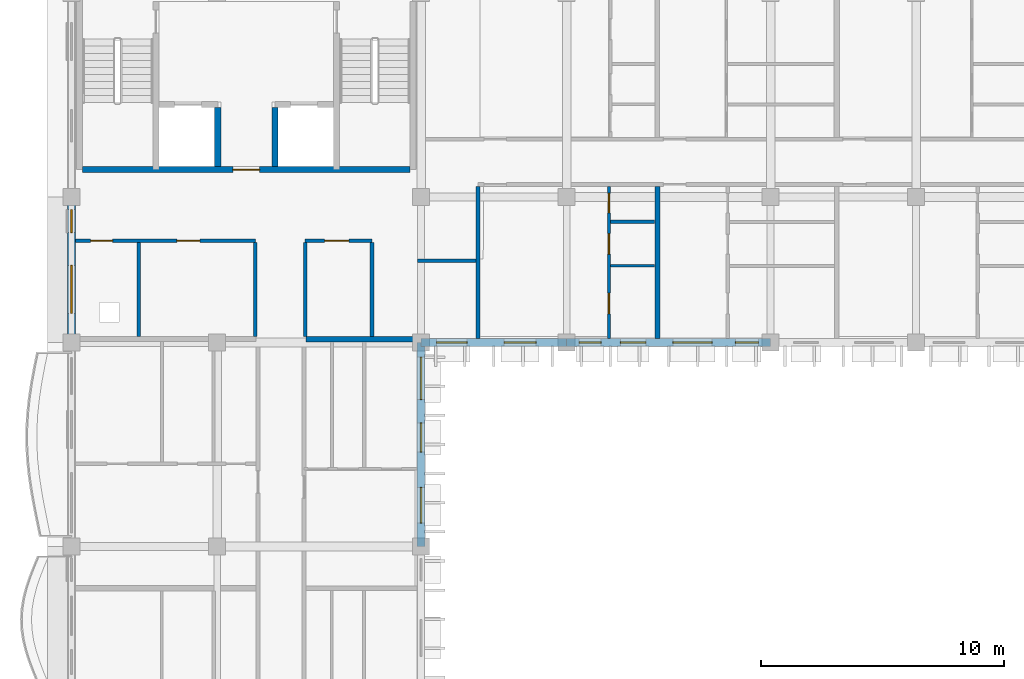
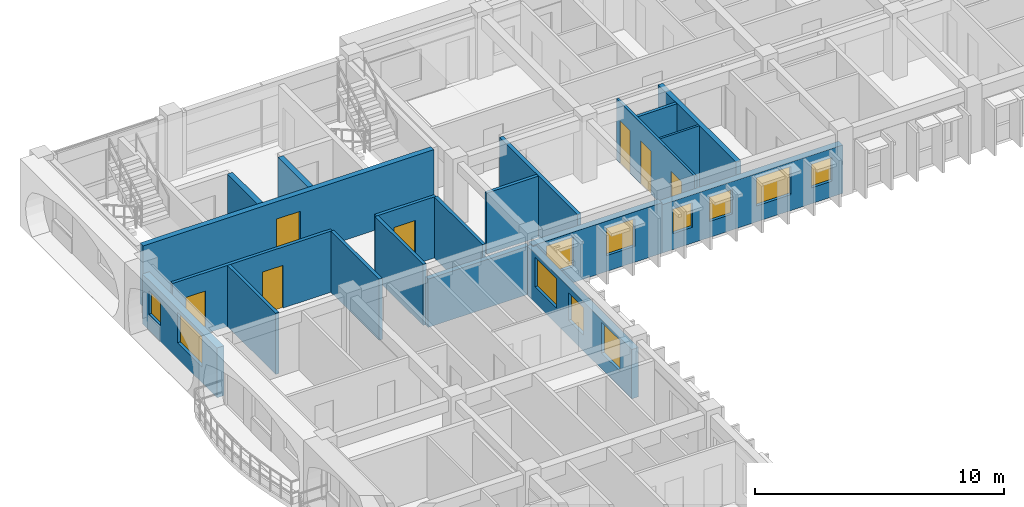
# One storey, part 21 of 66: 20 walls, 11 windows, 7 doors, 18 openings.
"""IFC4 building model written with IfcOpenShell, lengths in metres."""

from ifc_helpers import new_model, si_unit, direction, frame, frame_2d, origin, place, context, subcontext, project, spatial, rectangle, extrude, material, layer, layer_set, type_object, element, fill, save


model = new_model("IFC4")

# Units and contexts
model_context = context("Model", 3, precision=1e-05, world=origin(), true_north=direction((0.0, 1.0)))
body_context = subcontext(model_context, "Body", "Model", "MODEL_VIEW")
ifc_project = project(units=[si_unit("LENGTHUNIT", "METRE"), si_unit("AREAUNIT", "SQUARE_METRE"), si_unit("VOLUMEUNIT", "CUBIC_METRE"), si_unit("PLANEANGLEUNIT", "RADIAN"), si_unit("MASSUNIT", "GRAM", prefix="KILO"), si_unit("THERMODYNAMICTEMPERATUREUNIT", "KELVIN")], contexts=[model_context])

# Site, building, storey
site_placement = place(None, origin())
site = spatial("IfcSite", under=ifc_project, at=site_placement, CompositionType="ELEMENT")
building_placement = place(site_placement, origin())
building = spatial("IfcBuilding", under=site, at=building_placement, Name="Thalorik Housing Commons", CompositionType="ELEMENT")
storey_placement = place(building_placement, frame((0.0, 0.0, 21.300048828125)))
storey = spatial("IfcBuildingStorey", under=building, at=storey_placement, Name="L06", CompositionType="ELEMENT", Elevation=21.300048828125)

# Walls
ifc_material_1 = material(Name="Concrete C40/50", Category="concrete")
ifc_layer_1 = layer(ifc_material_1, 0.25, Name="Concrete C40/50", Category="concrete")
ifc_layer_set_1 = layer_set([ifc_layer_1], Name="Concrete C40/50")
wall_type_1 = type_object("IfcWallType", Name="ARC-WAL-CORE-250", PredefinedType="SHEAR", material=ifc_layer_set_1)
for number, where, z_axis, x_axis, name in (
    (1, (14.425048828125, 118.875, 0.0), (0.0, 0.0, 1.0), (0.0, -1.0, 0.0), "L06 Lift 1 Cheek Wall"),
    (2, (16.77490234375, 118.875, 0.0), (0.0, 0.0, 1.0), (0.0, -1.0, 0.0), "L06 Lift 2 Cheek Wall"),
):
    element("IfcWall", number, at=place(storey_placement, frame(where, z_axis=z_axis, x_axis=x_axis)), inside=storey, type_object=wall_type_1, Name=name, PredefinedType="SHEAR", context=body_context, shape_type="SweptSolid", body=[
        extrude(rectangle(XDim=2.425048828125, YDim=0.25, at=frame_2d((1.21240234375, 0.0))), origin(), (0.0, 0.0, 1.0), 3.0),
    ])

# Wall, opening, door
wall_1_placement = place(storey_placement, frame((8.85009765625, 116.324951171875, 0.0), z_axis=(0.0, 0.0, 1.0), x_axis=(1.0, 0.0, 0.0)))
wall_1 = element("IfcWall", 3, at=wall_1_placement, inside=storey, type_object=wall_type_1, Name="L06 Core A Spine Shear Wall", PredefinedType="SHEAR", context=body_context, shape_type="SweptSolid", body=[
    extrude(rectangle(XDim=13.5, YDim=0.25, at=frame_2d((6.75, 0.0))), origin(), (0.0, 0.0, 1.0), 3.0),
])
opening_1_placement = place(wall_1_placement, frame((6.199951171875, 0.0, 0.0)))
opening_1 = element("IfcOpeningElement", 4, at=opening_1_placement, cuts=wall_1, Name="Opening ID-0061", PredefinedType="OPENING", context=body_context, shape_type="SweptSolid", body=[
    extrude(rectangle(XDim=1.10009765625, YDim=2.14990234375, at=frame_2d((0.550048828125, 1.074951171875))), frame((0.0, 0.135009765625, 0.0), z_axis=(0.0, -1.0, 0.0), x_axis=(1.0, 0.0, 0.0)), (0.0, 0.0, 1.0), 0.27001953125),
])
ifc_material_2 = material(Name="Steel S355", Category="steel")
door_type_1 = type_object("IfcDoorType", Name="ARC-DR-FD60-1100", OperationType="NOTDEFINED", PredefinedType="DOOR", material=ifc_material_2)
door_1_placement = place(opening_1_placement, origin())
door_1 = element("IfcDoor", 5, at=door_1_placement, inside=storey, type_object=door_type_1, Name="L06 Core A Lobby Fire Door", OperationType="SINGLE_SWING_RIGHT", OverallHeight=2.14990234375, OverallWidth=1.10009765625, PredefinedType="DOOR", context=body_context, shape_type="SweptSolid", body=[
    extrude(rectangle(XDim=1.10009765625, YDim=2.14990234375, at=frame_2d((0.550048828125, 1.074951171875))), frame((0.0, 0.02490234375, 0.0), z_axis=(0.0, -1.0, 0.0), x_axis=(1.0, 0.0, 0.0)), (0.0, 0.0, 1.0), 0.050048828125),
])
fill(opening_1, door_1)

# Walls
ifc_material_3 = material(Name="Masonry fire-rated corridor wall", Category="masonry")
ifc_layer_2 = layer(ifc_material_3, 0.14990234375, Name="Masonry fire-rated corridor wall", Category="masonry")
ifc_layer_set_2 = layer_set([ifc_layer_2], Name="Masonry fire-rated corridor wall")
wall_type_2 = type_object("IfcWallType", Name="ARC-WAL-CORR-150", PredefinedType="PARTITIONING", material=ifc_layer_set_2)
wall_2_placement = place(storey_placement, frame((22.659912109375, 112.570068359375, 0.0), z_axis=(0.0, 0.0, 1.0), x_axis=(1.0, 0.0, 0.0)))
element("IfcWall", 6, at=wall_2_placement, inside=storey, type_object=wall_type_2, Name="L06 Block A Vestibule South Wall", PredefinedType="PARTITIONING", context=body_context, shape_type="SweptSolid", body=[
    extrude(rectangle(XDim=2.405517578125, YDim=0.14990234375, at=frame_2d((1.20263671875, 0.0))), origin(), (0.0, 0.0, 1.0), 3.0),
])
ifc_layer_3 = layer(ifc_material_3, 0.1650390625, Name="Masonry fire-rated corridor wall", Category="masonry")
ifc_layer_set_3 = layer_set([ifc_layer_3], Name="Masonry fire-rated corridor wall")
wall_type_3 = type_object("IfcWallType", Name="ARC-WAL-CORR-165", PredefinedType="PARTITIONING", material=ifc_layer_set_3)
wall_3_placement = place(storey_placement, frame((25.14990234375, 109.362060546875, 0.0), z_axis=(0.0, 0.0, 1.0), x_axis=(0.0, 1.0, 0.0)))
element("IfcWall", 7, at=wall_3_placement, inside=storey, type_object=wall_type_3, Name="L06 Block A Vestibule Cheek Wall", PredefinedType="PARTITIONING", context=body_context, shape_type="SweptSolid", body=[
    extrude(rectangle(XDim=6.2734375, YDim=0.1650390625, at=frame_2d((3.13671875, 0.0))), origin(), (0.0, 0.0, 1.0), 3.0),
])

# Wall, openings, windows
ifc_material_4 = material(Name="White precast concrete C40/50", Category="concrete")
ifc_layer_4 = layer(ifc_material_4, 0.320068359375, Name="White precast concrete C40/50", Category="concrete")
ifc_layer_set_4 = layer_set([ifc_layer_4], Name="White precast concrete C40/50")
wall_type_4 = type_object("IfcWallType", Name="ARC-WAL-EXT-320", PredefinedType="STANDARD", material=ifc_layer_set_4)
wall_4_placement = place(storey_placement, frame((22.800048828125, 109.199951171875, 0.0), z_axis=(0.0, 0.0, 1.0), x_axis=(1.0, 0.0, 0.0)))
wall_4 = element("IfcWall", 8, at=wall_4_placement, inside=storey, type_object=wall_type_4, Name="L06 Exterior Wall WAL-EXT-L06-A-0169", PredefinedType="STANDARD", context=body_context, shape_type="SweptSolid", body=[
    extrude(rectangle(XDim=6.0, YDim=0.320068359375, at=frame_2d((3.0, 0.0))), origin(), (0.0, 0.0, 1.0), 2.474853515625),
])
opening_2_placement = place(wall_4_placement, frame((0.64501953125, 0.0, 0.780029296875)))
opening_2 = element("IfcOpeningElement", 9, at=opening_2_placement, cuts=wall_4, Name="Opening W-47", PredefinedType="OPENING", context=body_context, shape_type="SweptSolid", body=[
    extrude(rectangle(XDim=1.25, YDim=1.449951171875, at=frame_2d((0.625, 0.72509765625))), frame((0.0, 0.169921875, 0.0), z_axis=(0.0, -1.0, 0.0), x_axis=(1.0, 0.0, 0.0)), (0.0, 0.0, 1.0), 0.340087890625),
])
opening_3_placement = place(wall_4_placement, frame((3.419921875, 0.0, 0.780029296875)))
opening_3 = element("IfcOpeningElement", 10, at=opening_3_placement, cuts=wall_4, Name="Opening W-48", PredefinedType="OPENING", context=body_context, shape_type="SweptSolid", body=[
    extrude(rectangle(XDim=1.320068359375, YDim=1.35009765625, at=frame_2d((0.66015625, 0.675048828125))), frame((0.0, 0.169921875, 0.0), z_axis=(0.0, -1.0, 0.0), x_axis=(1.0, 0.0, 0.0)), (0.0, 0.0, 1.0), 0.340087890625),
])
ifc_material_5 = material(Name="Anodised aluminium and solar-control low-E glass", Category="aluminium")
window_type_1 = type_object("IfcWindowType", Name="ARC-WIN-47", PartitioningType="SINGLE_PANEL", PredefinedType="WINDOW", material=ifc_material_5)
window_1_placement = place(opening_2_placement, origin())
window_1 = element("IfcWindow", 11, at=window_1_placement, inside=storey, type_object=window_type_1, Name="L06 Facade Window 301", OverallHeight=1.449951171875, OverallWidth=1.25, PartitioningType="SINGLE_PANEL", PredefinedType="WINDOW", context=body_context, shape_type="SweptSolid", body=[
    extrude(rectangle(XDim=1.25, YDim=1.449951171875, at=frame_2d((0.625, 0.72509765625))), frame((0.0, 0.030029296875, 0.0), z_axis=(0.0, -1.0, 0.0), x_axis=(1.0, 0.0, 0.0)), (0.0, 0.0, 1.0), 0.06005859375),
])
fill(opening_2, window_1)
window_type_2 = type_object("IfcWindowType", Name="ARC-WIN-48", PartitioningType="SINGLE_PANEL", PredefinedType="WINDOW", material=ifc_material_5)
window_2_placement = place(opening_3_placement, origin())
window_2 = element("IfcWindow", 12, at=window_2_placement, inside=storey, type_object=window_type_2, Name="L06 Facade Window 302", OverallHeight=1.35009765625, OverallWidth=1.320068359375, PartitioningType="SINGLE_PANEL", PredefinedType="WINDOW", context=body_context, shape_type="SweptSolid", body=[
    extrude(rectangle(XDim=1.320068359375, YDim=1.35009765625, at=frame_2d((0.66015625, 0.675048828125))), frame((0.0, 0.030029296875, 0.0), z_axis=(0.0, -1.0, 0.0), x_axis=(1.0, 0.0, 0.0)), (0.0, 0.0, 1.0), 0.06005859375),
])
fill(opening_3, window_2)

wall_5_placement = place(storey_placement, frame((28.800048828125, 109.199951171875, 0.0), z_axis=(0.0, 0.0, 1.0), x_axis=(1.0, 0.0, 0.0)))
wall_5 = element("IfcWall", 13, at=wall_5_placement, inside=storey, type_object=wall_type_4, Name="L06 Exterior Wall WAL-EXT-L06-A-0170", PredefinedType="STANDARD", context=body_context, shape_type="SweptSolid", body=[
    extrude(rectangle(XDim=8.39990234375, YDim=0.320068359375, at=frame_2d((4.199951171875, 0.0))), origin(), (0.0, 0.0, 1.0), 2.375),
])
opening_4_placement = place(wall_5_placement, frame((0.517578125, 0.0, 0.780029296875)))
opening_4 = element("IfcOpeningElement", 14, at=opening_4_placement, cuts=wall_5, Name="Opening W-01", PredefinedType="OPENING", context=body_context, shape_type="SweptSolid", body=[
    extrude(rectangle(XDim=0.89990234375, YDim=1.199951171875, at=frame_2d((0.449951171875, 0.60009765625))), frame((0.0, 0.169921875, 0.0), z_axis=(0.0, -1.0, 0.0), x_axis=(1.0, 0.0, 0.0)), (0.0, 0.0, 1.0), 0.340087890625),
])
opening_5_placement = place(wall_5_placement, frame((2.217529296875, 0.0, 0.780029296875)))
opening_5 = element("IfcOpeningElement", 15, at=opening_5_placement, cuts=wall_5, Name="Opening W-44", PredefinedType="OPENING", context=body_context, shape_type="SweptSolid", body=[
    extrude(rectangle(XDim=1.050048828125, YDim=1.199951171875, at=frame_2d((0.52490234375, 0.60009765625))), frame((0.0, 0.169921875, 0.0), z_axis=(0.0, -1.0, 0.0), x_axis=(1.0, 0.0, 0.0)), (0.0, 0.0, 1.0), 0.340087890625),
])
opening_6_placement = place(wall_5_placement, frame((4.37744140625, 0.0, 0.780029296875)))
opening_6 = element("IfcOpeningElement", 16, at=opening_6_placement, cuts=wall_5, Name="Opening W-54", PredefinedType="OPENING", context=body_context, shape_type="SweptSolid", body=[
    extrude(rectangle(XDim=1.6201171875, YDim=1.3798828125, at=frame_2d((0.81005859375, 0.68994140625))), frame((0.0, 0.169921875, 0.0), z_axis=(0.0, -1.0, 0.0), x_axis=(1.0, 0.0, 0.0)), (0.0, 0.0, 1.0), 0.340087890625),
])
opening_7_placement = place(wall_5_placement, frame((6.947509765625, 0.0, 0.780029296875)))
opening_7 = element("IfcOpeningElement", 17, at=opening_7_placement, cuts=wall_5, Name="Opening W-43", PredefinedType="OPENING", context=body_context, shape_type="SweptSolid", body=[
    extrude(rectangle(XDim=0.949951171875, YDim=1.14990234375, at=frame_2d((0.47509765625, 0.574951171875))), frame((0.0, 0.169921875, 0.0), z_axis=(0.0, -1.0, 0.0), x_axis=(1.0, 0.0, 0.0)), (0.0, 0.0, 1.0), 0.340087890625),
])
window_type_3 = type_object("IfcWindowType", Name="ARC-WIN-01", PartitioningType="SINGLE_PANEL", PredefinedType="WINDOW", material=ifc_material_5)
window_3_placement = place(opening_4_placement, origin())
window_3 = element("IfcWindow", 18, at=window_3_placement, inside=storey, type_object=window_type_3, Name="L06 Facade Window 303", OverallHeight=1.199951171875, OverallWidth=0.89990234375, PartitioningType="SINGLE_PANEL", PredefinedType="WINDOW", context=body_context, shape_type="SweptSolid", body=[
    extrude(rectangle(XDim=0.89990234375, YDim=1.199951171875, at=frame_2d((0.449951171875, 0.60009765625))), frame((0.0, 0.030029296875, 0.0), z_axis=(0.0, -1.0, 0.0), x_axis=(1.0, 0.0, 0.0)), (0.0, 0.0, 1.0), 0.06005859375),
])
fill(opening_4, window_3)
window_type_4 = type_object("IfcWindowType", Name="ARC-WIN-43", PartitioningType="SINGLE_PANEL", PredefinedType="WINDOW", material=ifc_material_5)
window_4_placement = place(opening_7_placement, origin())
window_4 = element("IfcWindow", 19, at=window_4_placement, inside=storey, type_object=window_type_4, Name="L06 Facade Window 306", OverallHeight=1.14990234375, OverallWidth=0.949951171875, PartitioningType="SINGLE_PANEL", PredefinedType="WINDOW", context=body_context, shape_type="SweptSolid", body=[
    extrude(rectangle(XDim=0.949951171875, YDim=1.14990234375, at=frame_2d((0.47509765625, 0.574951171875))), frame((0.0, 0.030029296875, 0.0), z_axis=(0.0, -1.0, 0.0), x_axis=(1.0, 0.0, 0.0)), (0.0, 0.0, 1.0), 0.06005859375),
])
fill(opening_7, window_4)
window_type_5 = type_object("IfcWindowType", Name="ARC-WIN-44", PartitioningType="SINGLE_PANEL", PredefinedType="WINDOW", material=ifc_material_5)
window_5_placement = place(opening_5_placement, origin())
window_5 = element("IfcWindow", 20, at=window_5_placement, inside=storey, type_object=window_type_5, Name="L06 Facade Window 304", OverallHeight=1.199951171875, OverallWidth=1.050048828125, PartitioningType="SINGLE_PANEL", PredefinedType="WINDOW", context=body_context, shape_type="SweptSolid", body=[
    extrude(rectangle(XDim=1.050048828125, YDim=1.199951171875, at=frame_2d((0.52490234375, 0.60009765625))), frame((0.0, 0.030029296875, 0.0), z_axis=(0.0, -1.0, 0.0), x_axis=(1.0, 0.0, 0.0)), (0.0, 0.0, 1.0), 0.06005859375),
])
fill(opening_5, window_5)
window_type_6 = type_object("IfcWindowType", Name="ARC-WIN-54", PartitioningType="DOUBLE_PANEL_VERTICAL", PredefinedType="WINDOW", material=ifc_material_5)
window_6_placement = place(opening_6_placement, origin())
window_6 = element("IfcWindow", 21, at=window_6_placement, inside=storey, type_object=window_type_6, Name="L06 Facade Window 305", OverallHeight=1.3798828125, OverallWidth=1.6201171875, PartitioningType="DOUBLE_PANEL_VERTICAL", PredefinedType="WINDOW", context=body_context, shape_type="SweptSolid", body=[
    extrude(rectangle(XDim=1.6201171875, YDim=1.3798828125, at=frame_2d((0.81005859375, 0.68994140625))), frame((0.0, 0.030029296875, 0.0), z_axis=(0.0, -1.0, 0.0), x_axis=(1.0, 0.0, 0.0)), (0.0, 0.0, 1.0), 0.06005859375),
])
fill(opening_6, window_6)

wall_6_placement = place(storey_placement, frame((8.39990234375, 115.199951171875, 0.0), z_axis=(0.0, 0.0, 1.0), x_axis=(0.0, -1.0, 0.0)))
wall_6 = element("IfcWall", 22, at=wall_6_placement, inside=storey, type_object=wall_type_4, Name="L06 Exterior Wall WAL-EXT-L06-A-0182", PredefinedType="STANDARD", context=body_context, shape_type="SweptSolid", body=[
    extrude(rectangle(XDim=6.0, YDim=0.320068359375, at=frame_2d((3.0, 0.0))), origin(), (0.0, 0.0, 1.0), 2.445068359375),
])
opening_8_placement = place(wall_6_placement, frame((0.52001953125, 0.0, 0.780029296875)))
opening_8 = element("IfcOpeningElement", 23, at=opening_8_placement, cuts=wall_6, Name="Opening W-43", PredefinedType="OPENING", context=body_context, shape_type="SweptSolid", body=[
    extrude(rectangle(XDim=0.949951171875, YDim=1.14990234375, at=frame_2d((0.47509765625, 0.574951171875))), frame((0.0, 0.169921875, 0.0), z_axis=(0.0, -1.0, 0.0), x_axis=(1.0, 0.0, 0.0)), (0.0, 0.0, 1.0), 0.340087890625),
])
opening_9_placement = place(wall_6_placement, frame((2.81494140625, 0.0, 0.780029296875)))
opening_9 = element("IfcOpeningElement", 24, at=opening_9_placement, cuts=wall_6, Name="Opening W-61", PredefinedType="OPENING", context=body_context, shape_type="SweptSolid", body=[
    extrude(rectangle(XDim=1.97998046875, YDim=1.5, at=frame_2d((0.989990234375, 0.75))), frame((0.0, 0.169921875, 0.0), z_axis=(0.0, -1.0, 0.0), x_axis=(1.0, 0.0, 0.0)), (0.0, 0.0, 1.0), 0.340087890625),
])
window_7_placement = place(opening_8_placement, origin())
window_7 = element("IfcWindow", 25, at=window_7_placement, inside=storey, type_object=window_type_4, Name="L06 Facade Window 324", OverallHeight=1.14990234375, OverallWidth=0.949951171875, PartitioningType="SINGLE_PANEL", PredefinedType="WINDOW", context=body_context, shape_type="SweptSolid", body=[
    extrude(rectangle(XDim=0.949951171875, YDim=1.14990234375, at=frame_2d((0.47509765625, 0.574951171875))), frame((0.0, 0.030029296875, 0.0), z_axis=(0.0, -1.0, 0.0), x_axis=(1.0, 0.0, 0.0)), (0.0, 0.0, 1.0), 0.06005859375),
])
fill(opening_8, window_7)
window_type_7 = type_object("IfcWindowType", Name="ARC-WIN-61", PartitioningType="DOUBLE_PANEL_VERTICAL", PredefinedType="WINDOW", material=ifc_material_5)
window_8_placement = place(opening_9_placement, origin())
window_8 = element("IfcWindow", 26, at=window_8_placement, inside=storey, type_object=window_type_7, Name="L06 Facade Window 325", OverallHeight=1.5, OverallWidth=1.97998046875, PartitioningType="DOUBLE_PANEL_VERTICAL", PredefinedType="WINDOW", context=body_context, shape_type="SweptSolid", body=[
    extrude(rectangle(XDim=1.97998046875, YDim=1.5, at=frame_2d((0.989990234375, 0.75))), frame((0.0, 0.030029296875, 0.0), z_axis=(0.0, -1.0, 0.0), x_axis=(1.0, 0.0, 0.0)), (0.0, 0.0, 1.0), 0.06005859375),
])
fill(opening_9, window_8)

wall_7_placement = place(storey_placement, frame((22.800048828125, 100.800048828125, 0.0), z_axis=(0.0, 0.0, 1.0), x_axis=(0.0, 1.0, 0.0)))
wall_7 = element("IfcWall", 27, at=wall_7_placement, inside=storey, type_object=wall_type_4, Name="L06 Exterior Wall WAL-EXT-L06-A-0190", PredefinedType="STANDARD", context=body_context, shape_type="SweptSolid", body=[
    extrude(rectangle(XDim=8.39990234375, YDim=0.320068359375, at=frame_2d((4.199951171875, 0.0))), origin(), (0.0, 0.0, 1.0), 2.425048828125),
])
opening_10_placement = place(wall_7_placement, frame((0.954833984375, 0.0, 0.780029296875)))
opening_10 = element("IfcOpeningElement", 28, at=opening_10_placement, cuts=wall_7, Name="Opening W-51", PredefinedType="OPENING", context=body_context, shape_type="SweptSolid", body=[
    extrude(rectangle(XDim=1.47998046875, YDim=1.52001953125, at=frame_2d((0.739990234375, 0.760009765625))), frame((0.0, 0.169921875, 0.0), z_axis=(0.0, -1.0, 0.0), x_axis=(1.0, 0.0, 0.0)), (0.0, 0.0, 1.0), 0.340087890625),
])
opening_11_placement = place(wall_7_placement, frame((3.88720703125, 0.0, 0.780029296875)))
opening_11 = element("IfcOpeningElement", 29, at=opening_11_placement, cuts=wall_7, Name="Opening W-04", PredefinedType="OPENING", context=body_context, shape_type="SweptSolid", body=[
    extrude(rectangle(XDim=1.199951171875, YDim=1.35009765625, at=frame_2d((0.60009765625, 0.675048828125))), frame((0.0, 0.169921875, 0.0), z_axis=(0.0, -1.0, 0.0), x_axis=(1.0, 0.0, 0.0)), (0.0, 0.0, 1.0), 0.340087890625),
])
opening_12_placement = place(wall_7_placement, frame((6.04736328125, 0.0, 0.780029296875)))
opening_12 = element("IfcOpeningElement", 30, at=opening_12_placement, cuts=wall_7, Name="Opening W-17", PredefinedType="OPENING", context=body_context, shape_type="SweptSolid", body=[
    extrude(rectangle(XDim=1.75, YDim=1.449951171875, at=frame_2d((0.875, 0.72509765625))), frame((0.0, 0.169921875, 0.0), z_axis=(0.0, -1.0, 0.0), x_axis=(1.0, 0.0, 0.0)), (0.0, 0.0, 1.0), 0.340087890625),
])
window_type_8 = type_object("IfcWindowType", Name="ARC-WIN-04", PartitioningType="SINGLE_PANEL", PredefinedType="WINDOW", material=ifc_material_5)
window_9_placement = place(opening_11_placement, origin())
window_9 = element("IfcWindow", 31, at=window_9_placement, inside=storey, type_object=window_type_8, Name="L06 Facade Window 343", OverallHeight=1.35009765625, OverallWidth=1.199951171875, PartitioningType="SINGLE_PANEL", PredefinedType="WINDOW", context=body_context, shape_type="SweptSolid", body=[
    extrude(rectangle(XDim=1.199951171875, YDim=1.35009765625, at=frame_2d((0.60009765625, 0.675048828125))), frame((0.0, 0.030029296875, 0.0), z_axis=(0.0, -1.0, 0.0), x_axis=(1.0, 0.0, 0.0)), (0.0, 0.0, 1.0), 0.06005859375),
])
fill(opening_11, window_9)
window_type_9 = type_object("IfcWindowType", Name="ARC-WIN-17", PartitioningType="DOUBLE_PANEL_VERTICAL", PredefinedType="WINDOW", material=ifc_material_5)
window_10_placement = place(opening_12_placement, origin())
window_10 = element("IfcWindow", 32, at=window_10_placement, inside=storey, type_object=window_type_9, Name="L06 Facade Window 344", OverallHeight=1.449951171875, OverallWidth=1.75, PartitioningType="DOUBLE_PANEL_VERTICAL", PredefinedType="WINDOW", context=body_context, shape_type="SweptSolid", body=[
    extrude(rectangle(XDim=1.75, YDim=1.449951171875, at=frame_2d((0.875, 0.72509765625))), frame((0.0, 0.030029296875, 0.0), z_axis=(0.0, -1.0, 0.0), x_axis=(1.0, 0.0, 0.0)), (0.0, 0.0, 1.0), 0.06005859375),
])
fill(opening_12, window_10)
window_type_10 = type_object("IfcWindowType", Name="ARC-WIN-51", PartitioningType="SINGLE_PANEL", PredefinedType="WINDOW", material=ifc_material_5)
window_11_placement = place(opening_10_placement, origin())
window_11 = element("IfcWindow", 33, at=window_11_placement, inside=storey, type_object=window_type_10, Name="L06 Facade Window 342", OverallHeight=1.52001953125, OverallWidth=1.47998046875, PartitioningType="SINGLE_PANEL", PredefinedType="WINDOW", context=body_context, shape_type="SweptSolid", body=[
    extrude(rectangle(XDim=1.47998046875, YDim=1.52001953125, at=frame_2d((0.739990234375, 0.760009765625))), frame((0.0, 0.030029296875, 0.0), z_axis=(0.0, -1.0, 0.0), x_axis=(1.0, 0.0, 0.0)), (0.0, 0.0, 1.0), 0.06005859375),
])
fill(opening_10, window_11)

# Wall
ifc_material_6 = material(Name="Gypsum light stud partition", Category="masonry")
ifc_layer_5 = layer(ifc_material_6, 0.10009765625, Name="Gypsum light stud partition", Category="masonry")
ifc_layer_set_5 = layer_set([ifc_layer_5], Name="Gypsum light stud partition")
wall_type_5 = type_object("IfcWallType", Name="ARC-WAL-PART-100", PredefinedType="PARTITIONING", material=ifc_layer_set_5)
wall_8_placement = place(storey_placement, frame((30.6044921875, 112.36083984375, 0.0), z_axis=(0.0, 0.0, 1.0), x_axis=(1.0, 0.0, 0.0)))
element("IfcWall", 34, at=wall_8_placement, inside=storey, type_object=wall_type_5, Name="L06 Unit 1 Bedroom Partition", PredefinedType="PARTITIONING", context=body_context, shape_type="SweptSolid", body=[
    extrude(rectangle(XDim=1.823486328125, YDim=0.10009765625, at=frame_2d((0.91162109375, 0.0))), origin(), (0.0, 0.0, 1.0), 3.0),
])

# Wall, openings, doors
ifc_material_7 = material(Name="Gypsum moisture-resistant partition", Category="masonry")
ifc_layer_6 = layer(ifc_material_7, 0.114990234375, Name="Gypsum moisture-resistant partition", Category="masonry")
ifc_layer_set_6 = layer_set([ifc_layer_6], Name="Gypsum moisture-resistant partition")
wall_type_6 = type_object("IfcWallType", Name="ARC-WAL-PART-115", PredefinedType="PARTITIONING", material=ifc_layer_set_6)
wall_9_placement = place(storey_placement, frame((30.544921875, 109.362060546875, 0.0), z_axis=(0.0, 0.0, 1.0), x_axis=(0.0, 1.0, 0.0)))
wall_9 = element("IfcWall", 35, at=wall_9_placement, inside=storey, type_object=wall_type_6, Name="L06 Unit 1 Spine Partition", PredefinedType="PARTITIONING", context=body_context, shape_type="SweptSolid", body=[
    extrude(rectangle(XDim=6.2734375, YDim=0.114990234375, at=frame_2d((3.13671875, 0.0))), origin(), (0.0, 0.0, 1.0), 3.0),
])
opening_13_placement = place(wall_9_placement, frame((1.0234375, 0.0, 0.0)))
opening_13 = element("IfcOpeningElement", 36, at=opening_13_placement, cuts=wall_9, Name="Opening ID-0645", PredefinedType="OPENING", context=body_context, shape_type="SweptSolid", body=[
    extrude(rectangle(XDim=0.85009765625, YDim=2.10009765625, at=frame_2d((0.425048828125, 1.050048828125))), frame((0.0, 0.0673828125, 0.0), z_axis=(0.0, -1.0, 0.0), x_axis=(1.0, 0.0, 0.0)), (0.0, 0.0, 1.0), 0.135009765625),
])
opening_14_placement = place(wall_9_placement, frame((3.478271484375, 0.0, 0.0)))
opening_14 = element("IfcOpeningElement", 37, at=opening_14_placement, cuts=wall_9, Name="Opening ID-0646", PredefinedType="OPENING", context=body_context, shape_type="SweptSolid", body=[
    extrude(rectangle(XDim=0.85009765625, YDim=2.10009765625, at=frame_2d((0.425048828125, 1.050048828125))), frame((0.0, 0.0673828125, 0.0), z_axis=(0.0, -1.0, 0.0), x_axis=(1.0, 0.0, 0.0)), (0.0, 0.0, 1.0), 0.135009765625),
])
opening_15_placement = place(wall_9_placement, frame((5.182861328125, 0.0, 0.0)))
opening_15 = element("IfcOpeningElement", 38, at=opening_15_placement, cuts=wall_9, Name="Opening ID-0647", PredefinedType="OPENING", context=body_context, shape_type="SweptSolid", body=[
    extrude(rectangle(XDim=0.800048828125, YDim=2.10009765625, at=frame_2d((0.39990234375, 1.050048828125))), frame((0.0, 0.0673828125, 0.0), z_axis=(0.0, -1.0, 0.0), x_axis=(1.0, 0.0, 0.0)), (0.0, 0.0, 1.0), 0.135009765625),
])
ifc_material_8 = material(Name="Moisture-resistant timber", Category="wood")
door_type_2 = type_object("IfcDoorType", Name="ARC-DR-INT-800", OperationType="NOTDEFINED", PredefinedType="DOOR", material=ifc_material_8)
door_2_placement = place(opening_15_placement, origin())
door_2 = element("IfcDoor", 39, at=door_2_placement, inside=storey, type_object=door_type_2, Name="L06 Flat Bathroom Door", OperationType="SINGLE_SWING_RIGHT", OverallHeight=2.10009765625, OverallWidth=0.800048828125, PredefinedType="DOOR", context=body_context, shape_type="SweptSolid", body=[
    extrude(rectangle(XDim=0.800048828125, YDim=2.10009765625, at=frame_2d((0.39990234375, 1.050048828125))), frame((0.0, 0.02490234375, 0.0), z_axis=(0.0, -1.0, 0.0), x_axis=(1.0, 0.0, 0.0)), (0.0, 0.0, 1.0), 0.050048828125),
])
fill(opening_15, door_2)
ifc_material_9 = material(Name="Engineered oak timber", Category="wood")
door_type_3 = type_object("IfcDoorType", Name="ARC-DR-INT-850", OperationType="NOTDEFINED", PredefinedType="DOOR", material=ifc_material_9)
door_3_placement = place(opening_13_placement, origin())
door_3 = element("IfcDoor", 40, at=door_3_placement, inside=storey, type_object=door_type_3, Name="L06 Master Bedroom Door", OperationType="SINGLE_SWING_RIGHT", OverallHeight=2.10009765625, OverallWidth=0.85009765625, PredefinedType="DOOR", context=body_context, shape_type="SweptSolid", body=[
    extrude(rectangle(XDim=0.85009765625, YDim=2.10009765625, at=frame_2d((0.425048828125, 1.050048828125))), frame((0.0, 0.02490234375, 0.0), z_axis=(0.0, -1.0, 0.0), x_axis=(1.0, 0.0, 0.0)), (0.0, 0.0, 1.0), 0.050048828125),
])
fill(opening_13, door_3)
door_4_placement = place(opening_14_placement, origin())
door_4 = element("IfcDoor", 41, at=door_4_placement, inside=storey, type_object=door_type_3, Name="L06 Eat-In Kitchen Door", OperationType="SINGLE_SWING_LEFT", OverallHeight=2.10009765625, OverallWidth=0.85009765625, PredefinedType="DOOR", context=body_context, shape_type="SweptSolid", body=[
    extrude(rectangle(XDim=0.85009765625, YDim=2.10009765625, at=frame_2d((0.425048828125, 1.050048828125))), frame((0.0, 0.02490234375, 0.0), z_axis=(0.0, -1.0, 0.0), x_axis=(1.0, 0.0, 0.0)), (0.0, 0.0, 1.0), 0.050048828125),
])
fill(opening_14, door_4)

# Walls
ifc_material_10 = material(Name="Ceramic masonry partition wall", Category="masonry")
ifc_layer_7 = layer(ifc_material_10, 0.139892578125, Name="Ceramic masonry partition wall", Category="masonry")
ifc_layer_set_7 = layer_set([ifc_layer_7], Name="Ceramic masonry partition wall")
wall_type_7 = type_object("IfcWallType", Name="ARC-WAL-PART-140", PredefinedType="PARTITIONING", material=ifc_layer_set_7)
wall_10_placement = place(storey_placement, frame((30.6044921875, 114.169677734375, 0.0), z_axis=(0.0, 0.0, 1.0), x_axis=(1.0, 0.0, 0.0)))
element("IfcWall", 42, at=wall_10_placement, inside=storey, type_object=wall_type_7, Name="L06 Unit 1 Wet Wall", PredefinedType="PARTITIONING", context=body_context, shape_type="SweptSolid", body=[
    extrude(rectangle(XDim=1.823486328125, YDim=0.139892578125, at=frame_2d((0.91162109375, 0.0))), origin(), (0.0, 0.0, 1.0), 3.0),
])
ifc_layer_8 = layer(ifc_material_10, 0.14794921875, Name="Ceramic masonry partition wall", Category="masonry")
ifc_layer_set_8 = layer_set([ifc_layer_8], Name="Ceramic masonry partition wall")
wall_type_8 = type_object("IfcWallType", Name="ARC-WAL-PART-150", PredefinedType="PARTITIONING", material=ifc_layer_set_8)
for number, where, z_axis, x_axis, name in (
    (43, (11.175048828125, 113.323974609375, 0.0), (0.0, 0.0, 1.0), (0.0, -1.0, 0.0), "Riser Wall"),
    (44, (15.97509765625, 113.323974609375, 0.0), (0.0, 0.0, 1.0), (0.0, -1.0, 0.0), "Core Stem West Cheek Wall"),
):
    element("IfcWall", number, at=place(storey_placement, frame(where, z_axis=z_axis, x_axis=x_axis)), inside=storey, type_object=wall_type_8, Name=name, PredefinedType="PARTITIONING", context=body_context, shape_type="SweptSolid", body=[
        extrude(rectangle(XDim=3.882080078125, YDim=0.14794921875, at=frame_2d((1.94091796875, 0.0))), origin(), (0.0, 0.0, 1.0), 3.0),
    ])
for number, where, z_axis, x_axis, name in (
    (45, (18.02490234375, 113.323974609375, 0.0), (0.0, 0.0, 1.0), (0.0, -1.0, 0.0), "Core Stem East Cheek Wall"),
    (46, (20.780029296875, 113.323974609375, 0.0), (0.0, 0.0, 1.0), (0.0, -1.0, 0.0), "Core East Enclosing Wall"),
):
    element("IfcWall", number, at=place(storey_placement, frame(where, z_axis=z_axis, x_axis=x_axis)), inside=storey, type_object=wall_type_8, Name=name, PredefinedType="PARTITIONING", context=body_context, shape_type="SweptSolid", body=[
        extrude(rectangle(XDim=3.8720703125, YDim=0.14794921875, at=frame_2d((1.93603515625, 0.0))), origin(), (0.0, 0.0, 1.0), 3.0),
    ])

# Wall, openings, doors
wall_11_placement = place(storey_placement, frame((8.56201171875, 113.39990234375, 0.0), z_axis=(0.0, 0.0, 1.0), x_axis=(1.0, 0.0, 0.0)))
wall_11 = element("IfcWall", 47, at=wall_11_placement, inside=storey, type_object=wall_type_8, Name="L06 Core A West Corridor Partition", PredefinedType="PARTITIONING", context=body_context, shape_type="SweptSolid", body=[
    extrude(rectangle(XDim=7.4130859375, YDim=0.14794921875, at=frame_2d((3.70654296875, 0.0))), origin(), (0.0, 0.0, 1.0), 3.0),
])
opening_16_placement = place(wall_11_placement, frame((0.6279296875, 0.0, 0.0)))
opening_16 = element("IfcOpeningElement", 48, at=opening_16_placement, cuts=wall_11, Name="Opening ID-0062", PredefinedType="OPENING", context=body_context, shape_type="SweptSolid", body=[
    extrude(rectangle(XDim=0.89990234375, YDim=2.10009765625, at=frame_2d((0.449951171875, 1.050048828125))), frame((0.0, 0.083984375, 0.0), z_axis=(0.0, -1.0, 0.0), x_axis=(1.0, 0.0, 0.0)), (0.0, 0.0, 1.0), 0.16796875),
])
opening_17_placement = place(wall_11_placement, frame((4.177978515625, 0.0, 0.0)))
opening_17 = element("IfcOpeningElement", 49, at=opening_17_placement, cuts=wall_11, Name="Opening ID-0063", PredefinedType="OPENING", context=body_context, shape_type="SweptSolid", body=[
    extrude(rectangle(XDim=0.949951171875, YDim=2.10009765625, at=frame_2d((0.47509765625, 1.050048828125))), frame((0.0, 0.083984375, 0.0), z_axis=(0.0, -1.0, 0.0), x_axis=(1.0, 0.0, 0.0)), (0.0, 0.0, 1.0), 0.16796875),
])
door_type_4 = type_object("IfcDoorType", Name="ARC-DR-FD60-900", OperationType="NOTDEFINED", PredefinedType="DOOR", material=ifc_material_2)
door_5_placement = place(opening_16_placement, origin())
door_5 = element("IfcDoor", 50, at=door_5_placement, inside=storey, type_object=door_type_4, Name="Electrical Riser Door", OperationType="SINGLE_SWING_LEFT", OverallHeight=2.10009765625, OverallWidth=0.89990234375, PredefinedType="DOOR", context=body_context, shape_type="SweptSolid", body=[
    extrude(rectangle(XDim=0.89990234375, YDim=2.10009765625, at=frame_2d((0.449951171875, 1.050048828125))), frame((0.0, 0.02490234375, 0.0), z_axis=(0.0, -1.0, 0.0), x_axis=(1.0, 0.0, 0.0)), (0.0, 0.0, 1.0), 0.050048828125),
])
fill(opening_16, door_5)
door_type_5 = type_object("IfcDoorType", Name="ARC-DR-INT-950", OperationType="NOTDEFINED", PredefinedType="DOOR", material=ifc_material_9)
door_6_placement = place(opening_17_placement, origin())
door_6 = element("IfcDoor", 51, at=door_6_placement, inside=storey, type_object=door_type_5, Name="Accessible Bathroom Door", OperationType="SINGLE_SWING_RIGHT", OverallHeight=2.10009765625, OverallWidth=0.949951171875, PredefinedType="DOOR", context=body_context, shape_type="SweptSolid", body=[
    extrude(rectangle(XDim=0.949951171875, YDim=2.10009765625, at=frame_2d((0.47509765625, 1.050048828125))), frame((0.0, 0.02490234375, 0.0), z_axis=(0.0, -1.0, 0.0), x_axis=(1.0, 0.0, 0.0)), (0.0, 0.0, 1.0), 0.050048828125),
])
fill(opening_17, door_6)

# Wall, opening, door
wall_12_placement = place(storey_placement, frame((18.02490234375, 113.39990234375, 0.0), z_axis=(0.0, 0.0, 1.0), x_axis=(1.0, 0.0, 0.0)))
wall_12 = element("IfcWall", 52, at=wall_12_placement, inside=storey, type_object=wall_type_8, Name="L06 Core A East Corridor Partition", PredefinedType="PARTITIONING", context=body_context, shape_type="SweptSolid", body=[
    extrude(rectangle(XDim=2.755126953125, YDim=0.14794921875, at=frame_2d((1.37744140625, 0.0))), origin(), (0.0, 0.0, 1.0), 3.0),
])
opening_18_placement = place(wall_12_placement, frame((0.800048828125, 0.0, 0.0)))
opening_18 = element("IfcOpeningElement", 53, at=opening_18_placement, cuts=wall_12, Name="Opening ID-0064", PredefinedType="OPENING", context=body_context, shape_type="SweptSolid", body=[
    extrude(rectangle(XDim=1.0, YDim=2.14990234375, at=frame_2d((0.5, 1.074951171875))), frame((0.0, 0.083984375, 0.0), z_axis=(0.0, -1.0, 0.0), x_axis=(1.0, 0.0, 0.0)), (0.0, 0.0, 1.0), 0.16796875),
])
door_type_6 = type_object("IfcDoorType", Name="ARC-DR-FD60-1000", OperationType="NOTDEFINED", PredefinedType="DOOR", material=ifc_material_2)
door_7_placement = place(opening_18_placement, origin())
door_7 = element("IfcDoor", 54, at=door_7_placement, inside=storey, type_object=door_type_6, Name="Core Hub Room Door", OperationType="SINGLE_SWING_LEFT", OverallHeight=2.14990234375, OverallWidth=1.0, PredefinedType="DOOR", context=body_context, shape_type="SweptSolid", body=[
    extrude(rectangle(XDim=1.0, YDim=2.14990234375, at=frame_2d((0.5, 1.074951171875))), frame((0.0, 0.02490234375, 0.0), z_axis=(0.0, -1.0, 0.0), x_axis=(1.0, 0.0, 0.0)), (0.0, 0.0, 1.0), 0.050048828125),
])
fill(opening_18, door_7)

# Walls
ifc_material_11 = material(Name="Precast concrete C40/50 acoustic wall", Category="concrete")
ifc_layer_9 = layer(ifc_material_11, 0.219970703125, Name="Precast concrete C40/50 acoustic wall", Category="concrete")
ifc_layer_set_9 = layer_set([ifc_layer_9], Name="Precast concrete C40/50 acoustic wall")
wall_type_9 = type_object("IfcWallType", Name="ARC-WAL-PARTY-220", PredefinedType="PARTITIONING", material=ifc_layer_set_9)
wall_13_placement = place(storey_placement, frame((32.5400390625, 109.362060546875, 0.0), z_axis=(0.0, 0.0, 1.0), x_axis=(0.0, 1.0, 0.0)))
element("IfcWall", 55, at=wall_13_placement, inside=storey, type_object=wall_type_9, Name="L06 Inter-Tenancy Wall 1A", PredefinedType="PARTITIONING", context=body_context, shape_type="SweptSolid", body=[
    extrude(rectangle(XDim=6.2734375, YDim=0.219970703125, at=frame_2d((3.13671875, 0.0))), origin(), (0.0, 0.0, 1.0), 3.0),
])
wall_14_placement = place(storey_placement, frame((18.056884765625, 109.340087890625, 0.0), z_axis=(0.0, 0.0, 1.0), x_axis=(1.0, 0.0, 0.0)))
element("IfcWall", 56, at=wall_14_placement, inside=storey, type_object=wall_type_9, Name="L06 Core End Wall B", PredefinedType="PARTITIONING", context=body_context, shape_type="SweptSolid", body=[
    extrude(rectangle(XDim=4.68310546875, YDim=0.219970703125, at=frame_2d((2.341552734375, 0.0))), origin(), (0.0, 0.0, 1.0), 2.375),
])

save(model, "model.ifc")
